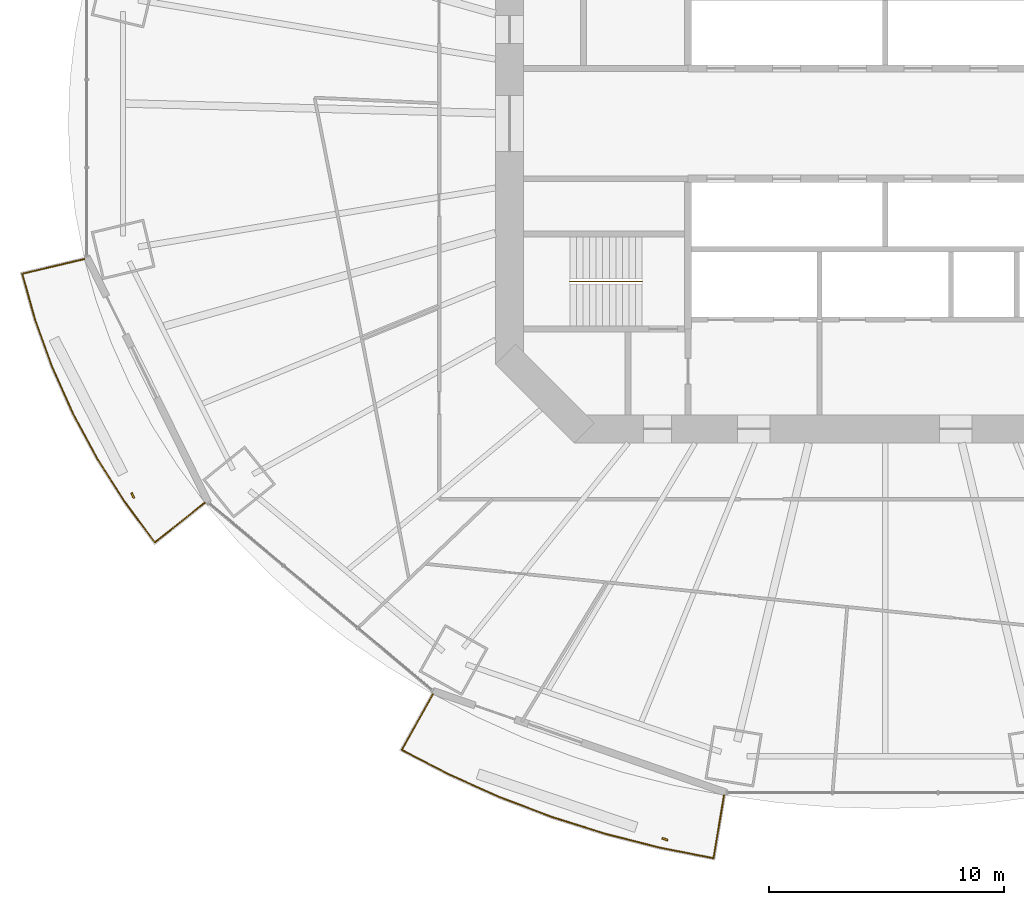
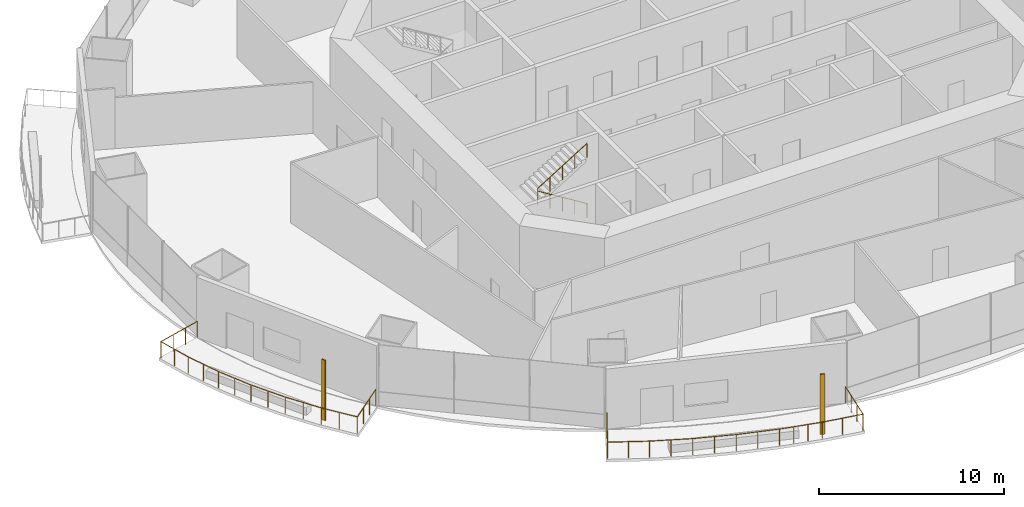
# One storey, part 17 of 22: 3 railings, 2 shading devices.
"""IFC4 building model written with IfcOpenShell, lengths in metres."""

from ifc_helpers import new_model, si_unit, direction, frame, origin, origin_2d, place, context, subcontext, project, spatial, rectangle, circle, extrude, material, material_profile, profile_set, type_object, element, save


model = new_model("IFC4")

# Units and contexts
model_context = context("Model", 3, precision=1e-05, world=origin(), true_north=direction((0.0, 1.0)))
body_context = subcontext(model_context, "Body", "Model", "MODEL_VIEW")
ifc_project = project(units=[si_unit("LENGTHUNIT", "METRE"), si_unit("AREAUNIT", "SQUARE_METRE"), si_unit("VOLUMEUNIT", "CUBIC_METRE"), si_unit("PLANEANGLEUNIT", "RADIAN"), si_unit("MASSUNIT", "GRAM", prefix="KILO")], contexts=[model_context])

# Site, building, storey
site_placement = place(None, origin())
site = spatial("IfcSite", under=ifc_project, at=site_placement, CompositionType="ELEMENT")
building_placement = place(site_placement, origin())
building = spatial("IfcBuilding", under=site, at=building_placement, Name="Marenthal Gate Tower", CompositionType="ELEMENT")
storey_placement = place(building_placement, frame((0.0, 0.0, 99.39990234375)))
storey = spatial("IfcBuildingStorey", under=building, at=storey_placement, Name="L20", CompositionType="ELEMENT", Elevation=99.39990234375)

# Railings
ifc_material_1 = material(Name="Stainless steel", Category="steel")
railing_type_1 = type_object("IfcRailingType", Name="Balcony guard 1100", PredefinedType="GUARDRAIL", material=ifc_material_1)
railing_1_placement = place(storey_placement, frame((-28.97509765625, -16.14501953125, 0.0)))
element("IfcRailing", 1, at=railing_1_placement, inside=storey, type_object=railing_type_1, Name="Balcony guard L20 bay 9", PredefinedType="GUARDRAIL", context=body_context, shape_type="SweptSolid", body=[
    extrude(circle(Radius=0.02392578125, at=origin_2d()), frame((0.0, 0.0, 1.076171875), z_axis=(-0.782219115125, -0.622831649721, -0.014628466701), x_axis=(0.622898300926, -0.782302822892, 0.0)), (0.0, 0.0, 1.0), 2.720458984375),
    extrude(circle(Radius=0.02392578125, at=origin_2d()), frame((-2.1279296875, -1.6943359375, 1.0361328125), z_axis=(-0.594516836854, 0.804083161556, 0.0), x_axis=(-0.804083161556, -0.594516836854, 0.0)), (0.0, 0.0, 1.0), 2.12841796875),
    extrude(circle(Radius=0.02392578125, at=origin_2d()), frame((-3.393310546875, 0.01708984375, 1.0361328125), z_axis=(-0.537452327695, 0.843294133417, 0.0), x_axis=(-0.843294133417, -0.537452327695, 0.0)), (0.0, 0.0, 1.0), 2.1904296875),
    extrude(circle(Radius=0.02392578125, at=origin_2d()), frame((-4.570556640625, 1.8642578125, 1.0361328125), z_axis=(-0.475284522292, 0.879832156078, 0.0), x_axis=(-0.879832156078, -0.475284522292, 0.0)), (0.0, 0.0, 1.0), 2.17431640625),
    extrude(circle(Radius=0.02392578125, at=origin_2d()), frame((-5.60400390625, 3.77734375, 1.0361328125), z_axis=(-0.409429124113, 0.91234192731, 0.0), x_axis=(-0.91234192731, -0.409429124113, 0.0)), (0.0, 0.0, 1.0), 2.15966796875),
    extrude(circle(Radius=0.02392578125, at=origin_2d()), frame((-6.48828125, 5.747802734375, 1.0361328125), z_axis=(-0.340136081654, 0.940376225751, 0.0), x_axis=(-0.940376225751, -0.340136081654, 0.0)), (0.0, 0.0, 1.0), 2.1474609375),
    extrude(circle(Radius=0.02392578125, at=origin_2d()), frame((-7.21875, 7.767333984375, 1.0361328125), z_axis=(-0.269277750694, 0.963062559225, 0.0), x_axis=(-0.963062559225, -0.269277750694, 0.0)), (0.0, 0.0, 1.0), 2.05712890625),
    extrude(circle(Radius=0.02392578125, at=origin_2d()), frame((-7.772705078125, 9.74853515625, 1.0361328125), z_axis=(0.972948082901, 0.230560245824, 0.014628773869), x_axis=(-0.230584919848, 0.973052205557, 0.0)), (0.0, 0.0, 1.0), 2.72021484375),
    extrude(circle(Radius=0.02099609375, at=origin_2d()), origin(), (0.0, 0.0, 1.0), 1.052001953125),
    extrude(circle(Radius=0.02099609375, at=origin_2d()), frame((-0.709228515625, -0.564697265625, -0.01318359375)), (0.0, 0.0, 1.0), 1.052001953125),
    extrude(circle(Radius=0.02099609375, at=origin_2d()), frame((-1.418701171875, -1.129638671875, -0.026611328125)), (0.0, 0.0, 1.0), 1.052001953125),
    extrude(circle(Radius=0.02099609375, at=origin_2d()), frame((-2.1279296875, -1.6943359375, -0.039794921875)), (0.0, 0.0, 1.0), 1.052001953125),
    extrude(circle(Radius=0.02099609375, at=origin_2d()), frame((-2.7607421875, -0.838623046875, -0.039794921875)), (0.0, 0.0, 1.0), 1.052001953125),
    extrude(circle(Radius=0.02099609375, at=origin_2d()), frame((-3.393310546875, 0.01708984375, -0.039794921875)), (0.0, 0.0, 1.0), 1.052001953125),
    extrude(circle(Radius=0.02099609375, at=origin_2d()), frame((-3.98193359375, 0.940673828125, -0.039794921875)), (0.0, 0.0, 1.0), 1.052001953125),
    extrude(circle(Radius=0.02099609375, at=origin_2d()), frame((-4.570556640625, 1.8642578125, -0.039794921875)), (0.0, 0.0, 1.0), 1.052001953125),
    extrude(circle(Radius=0.02099609375, at=origin_2d()), frame((-5.08740234375, 2.82080078125, -0.039794921875)), (0.0, 0.0, 1.0), 1.052001953125),
    extrude(circle(Radius=0.02099609375, at=origin_2d()), frame((-5.60400390625, 3.77734375, -0.039794921875)), (0.0, 0.0, 1.0), 1.052001953125),
    extrude(circle(Radius=0.02099609375, at=origin_2d()), frame((-6.046142578125, 4.7626953125, -0.039794921875)), (0.0, 0.0, 1.0), 1.052001953125),
    extrude(circle(Radius=0.02099609375, at=origin_2d()), frame((-6.48828125, 5.747802734375, -0.039794921875)), (0.0, 0.0, 1.0), 1.052001953125),
    extrude(circle(Radius=0.02099609375, at=origin_2d()), frame((-6.853515625, 6.757568359375, -0.039794921875)), (0.0, 0.0, 1.0), 1.052001953125),
    extrude(circle(Radius=0.02099609375, at=origin_2d()), frame((-7.21875, 7.767333984375, -0.039794921875)), (0.0, 0.0, 1.0), 1.052001953125),
    extrude(circle(Radius=0.02099609375, at=origin_2d()), frame((-7.49560546875, 8.7578125, -0.039794921875)), (0.0, 0.0, 1.0), 1.052001953125),
    extrude(circle(Radius=0.02099609375, at=origin_2d()), frame((-7.772705078125, 9.74853515625, -0.039794921875)), (0.0, 0.0, 1.0), 1.052001953125),
    extrude(circle(Radius=0.02099609375, at=origin_2d()), frame((-6.890380859375, 9.95751953125, -0.026611328125)), (0.0, 0.0, 1.0), 1.052001953125),
    extrude(circle(Radius=0.02099609375, at=origin_2d()), frame((-6.00830078125, 10.166748046875, -0.01318359375)), (0.0, 0.0, 1.0), 1.052001953125),
    extrude(circle(Radius=0.02099609375, at=origin_2d()), frame((-5.1259765625, 10.375732421875, 0.0)), (0.0, 0.0, 1.0), 1.052001953125),
])
railing_2_placement = place(storey_placement, frame((-6.86572265625, -28.59912109375, 0.0)))
element("IfcRailing", 2, at=railing_2_placement, inside=storey, type_object=railing_type_1, Name="Balcony guard L20 bay 11", PredefinedType="GUARDRAIL", context=body_context, shape_type="SweptSolid", body=[
    extrude(circle(Radius=0.02392578125, at=origin_2d()), frame((0.0, 0.0, 1.076171875), z_axis=(-0.164585130929, -0.986254410528, -0.01462779517), x_axis=(0.986359943071, -0.164602742092, 0.0)), (0.0, 0.0, 1.0), 2.720458984375),
    extrude(circle(Radius=0.02392578125, at=origin_2d()), frame((-0.44775390625, -2.68310546875, 1.0361328125), z_axis=(-0.981231836587, 0.192831747562, 0.0), x_axis=(-0.192831747562, -0.981231836587, 0.0)), (0.0, 0.0, 1.0), 2.330810546875),
    extrude(circle(Radius=0.02392578125, at=origin_2d()), frame((-2.73486328125, -2.233642578125, 1.0361328125), z_axis=(-0.969123243842, 0.246576840449, 0.0), x_axis=(-0.246576840449, -0.969123243842, 0.0)), (0.0, 0.0, 1.0), 2.401123046875),
    extrude(circle(Radius=0.02392578125, at=origin_2d()), frame((-5.061767578125, -1.6416015625, 1.0361328125), z_axis=(-0.953610460093, 0.301043336416, 0.0), x_axis=(-0.301043336416, -0.953610460093, 0.0)), (0.0, 0.0, 1.0), 2.38916015625),
    extrude(circle(Radius=0.02392578125, at=origin_2d()), frame((-7.340087890625, -0.92236328125, 1.0361328125), z_axis=(-0.934799959644, 0.355174654852, 0.0), x_axis=(-0.355174654852, -0.934799959644, 0.0)), (0.0, 0.0, 1.0), 2.37548828125),
    extrude(circle(Radius=0.02392578125, at=origin_2d()), frame((-9.560791015625, -0.07861328125, 1.0361328125), z_axis=(-0.91251864488, 0.409035111876, 0.0), x_axis=(-0.409035111876, -0.91251864488, 0.0)), (0.0, 0.0, 1.0), 2.360107421875),
    extrude(circle(Radius=0.02392578125, at=origin_2d()), frame((-11.71435546875, 0.88671875, 1.0361328125), z_axis=(-0.887149676746, 0.461481799261, 0.0), x_axis=(-0.461481799261, -0.887149676746, 0.0)), (0.0, 0.0, 1.0), 2.26318359375),
    extrude(circle(Radius=0.02392578125, at=origin_2d()), frame((-13.72216796875, 1.93115234375, 1.0361328125), z_axis=(0.489130352143, 0.87208800583, 0.01462903622), x_axis=(-0.872181338021, 0.489182699621, 0.0)), (0.0, 0.0, 1.0), 2.72021484375),
    extrude(circle(Radius=0.02099609375, at=origin_2d()), origin(), (0.0, 0.0, 1.0), 1.052001953125),
    extrude(circle(Radius=0.02099609375, at=origin_2d()), frame((-0.149169921875, -0.894287109375, -0.01318359375)), (0.0, 0.0, 1.0), 1.052001953125),
    extrude(circle(Radius=0.02099609375, at=origin_2d()), frame((-0.298583984375, -1.788818359375, -0.026611328125)), (0.0, 0.0, 1.0), 1.052001953125),
    extrude(circle(Radius=0.02099609375, at=origin_2d()), frame((-0.44775390625, -2.68310546875, -0.039794921875)), (0.0, 0.0, 1.0), 1.052001953125),
    extrude(circle(Radius=0.02099609375, at=origin_2d()), frame((-1.59130859375, -2.45849609375, -0.039794921875)), (0.0, 0.0, 1.0), 1.052001953125),
    extrude(circle(Radius=0.02099609375, at=origin_2d()), frame((-2.73486328125, -2.233642578125, -0.039794921875)), (0.0, 0.0, 1.0), 1.052001953125),
    extrude(circle(Radius=0.02099609375, at=origin_2d()), frame((-3.510498046875, -2.036376953125, -0.039794921875)), (0.0, 0.0, 1.0), 1.052001953125),
    extrude(circle(Radius=0.02099609375, at=origin_2d()), frame((-4.2861328125, -1.8388671875, -0.039794921875)), (0.0, 0.0, 1.0), 1.052001953125),
    extrude(circle(Radius=0.02099609375, at=origin_2d()), frame((-5.061767578125, -1.6416015625, -0.039794921875)), (0.0, 0.0, 1.0), 1.052001953125),
    extrude(circle(Radius=0.02099609375, at=origin_2d()), frame((-6.200927734375, -1.281982421875, -0.039794921875)), (0.0, 0.0, 1.0), 1.052001953125),
    extrude(circle(Radius=0.02099609375, at=origin_2d()), frame((-7.340087890625, -0.92236328125, -0.039794921875)), (0.0, 0.0, 1.0), 1.052001953125),
    extrude(circle(Radius=0.02099609375, at=origin_2d()), frame((-8.450439453125, -0.50048828125, -0.039794921875)), (0.0, 0.0, 1.0), 1.052001953125),
    extrude(circle(Radius=0.02099609375, at=origin_2d()), frame((-9.560791015625, -0.07861328125, -0.039794921875)), (0.0, 0.0, 1.0), 1.052001953125),
    extrude(circle(Radius=0.02099609375, at=origin_2d()), frame((-10.6376953125, 0.404052734375, -0.039794921875)), (0.0, 0.0, 1.0), 1.052001953125),
    extrude(circle(Radius=0.02099609375, at=origin_2d()), frame((-11.71435546875, 0.88671875, -0.039794921875)), (0.0, 0.0, 1.0), 1.052001953125),
    extrude(circle(Radius=0.02099609375, at=origin_2d()), frame((-12.71826171875, 1.408935546875, -0.039794921875)), (0.0, 0.0, 1.0), 1.052001953125),
    extrude(circle(Radius=0.02099609375, at=origin_2d()), frame((-13.72216796875, 1.93115234375, -0.039794921875)), (0.0, 0.0, 1.0), 1.052001953125),
    extrude(circle(Radius=0.02099609375, at=origin_2d()), frame((-13.278564453125, 2.721923828125, -0.026611328125)), (0.0, 0.0, 1.0), 1.052001953125),
    extrude(circle(Radius=0.02099609375, at=origin_2d()), frame((-12.835205078125, 3.5126953125, -0.01318359375)), (0.0, 0.0, 1.0), 1.052001953125),
    extrude(circle(Radius=0.02099609375, at=origin_2d()), frame((-12.3916015625, 4.303466796875, 0.0)), (0.0, 0.0, 1.0), 1.052001953125),
])
ifc_material_2 = material(Name="Stainless steel", Category="steel")
railing_type_2 = type_object("IfcRailingType", Name="Stair handrail", PredefinedType="HANDRAIL", material=ifc_material_2)
railing_3_placement = place(storey_placement, frame((-10.35009765625, -6.72509765625, 0.173095703125)))
element("IfcRailing", 3, at=railing_3_placement, inside=storey, type_object=railing_type_2, Name="Handrail ST2", PredefinedType="HANDRAIL", context=body_context, shape_type="SweptSolid", body=[
    extrude(circle(Radius=0.0224609375, at=origin_2d()), frame((0.0, 0.0, 0.927490234375), z_axis=(-0.850816621229, 0.0, 0.525462726595), x_axis=(0.0, -1.0, 0.0)), (0.0, 0.0, 1.0), 3.619873046875),
    extrude(circle(Radius=0.0224609375, at=origin_2d()), frame((-3.079833984375, 0.0, 2.82958984375), z_axis=(0.0, 0.0, 1.0), x_axis=(1.0, 0.0, 0.0)), (0.0, 0.0, 1.0), 0.1728515625),
    extrude(circle(Radius=0.0224609375, at=origin_2d()), frame((-3.079833984375, 0.0, 3.00244140625), z_axis=(0.850816621229, 0.0, 0.525462726595), x_axis=(0.0, 1.0, 0.0)), (0.0, 0.0, 1.0), 3.619873046875),
    extrude(circle(Radius=0.02001953125, at=origin_2d()), origin(), (0.0, 0.0, 1.0), 0.905029296875),
    extrude(circle(Radius=0.02001953125, at=origin_2d()), frame((-0.77001953125, 0.0, 0.4755859375)), (0.0, 0.0, 1.0), 0.905029296875),
    extrude(circle(Radius=0.02001953125, at=origin_2d()), frame((-1.5400390625, 0.0, 0.951171875)), (0.0, 0.0, 1.0), 0.905029296875),
    extrude(circle(Radius=0.02001953125, at=origin_2d()), frame((-2.309814453125, 0.0, 1.426513671875)), (0.0, 0.0, 1.0), 0.905029296875),
    extrude(circle(Radius=0.02001953125, at=origin_2d()), frame((-3.079833984375, 0.0, 1.902099609375)), (0.0, 0.0, 1.0), 0.905029296875),
    extrude(circle(Radius=0.02001953125, at=origin_2d()), frame((-3.079833984375, 0.0, 2.074951171875)), (0.0, 0.0, 1.0), 0.905029296875),
    extrude(circle(Radius=0.02001953125, at=origin_2d()), frame((-2.309814453125, 0.0, 2.550537109375)), (0.0, 0.0, 1.0), 0.905029296875),
    extrude(circle(Radius=0.02001953125, at=origin_2d()), frame((-1.5400390625, 0.0, 3.02587890625)), (0.0, 0.0, 1.0), 0.905029296875),
    extrude(circle(Radius=0.02001953125, at=origin_2d()), frame((-0.77001953125, 0.0, 3.50146484375)), (0.0, 0.0, 1.0), 0.905029296875),
    extrude(circle(Radius=0.02001953125, at=origin_2d()), frame((0.0, 0.0, 3.97705078125)), (0.0, 0.0, 1.0), 0.905029296875),
])

# Shading devices
ifc_material_3 = material(Name="Terracotta", Category="masonry")
ifc_material_profile = material_profile(ifc_material_3, rectangle(XDim=0.25, YDim=0.080078125, at=origin_2d()), Name="Terracotta baguette 250x80")
ifc_profile_set = profile_set([ifc_material_profile], Name="Terracotta")
shading_device_type = type_object("IfcShadingDeviceType", Name="Terracotta BAGUETTE SCREEN 250x80", PredefinedType="USERDEFINED", material=ifc_profile_set)
for number, where, z_axis, x_axis, name in (
    (4, (-32.043701171875, -15.835205078125, -0.039794921875), (0.0, 0.0, 1.0), (0.44279047576, -0.896625113733, 0.0), "Terracotta BAGUETTE L20 bay 9R"),
    (5, (-9.382568359375, -30.47314453125, -0.039794921875), (0.0, 0.0, 1.0), (0.94461425051, -0.328182750512, 0.0), "Terracotta BAGUETTE L20 bay 11R"),
):
    element("IfcShadingDevice", number, at=place(storey_placement, frame(where, z_axis=z_axis, x_axis=x_axis)), inside=storey, type_object=shading_device_type, Name=name, ObjectType="BAGUETTE SCREEN", PredefinedType="USERDEFINED", context=body_context, shape_type="SweptSolid", body=[
        extrude(rectangle(XDim=0.25, YDim=0.080078125, at=origin_2d()), origin(), (0.0, 0.0, 1.0), 3.969970703125),
    ])

save(model, "model.ifc")
